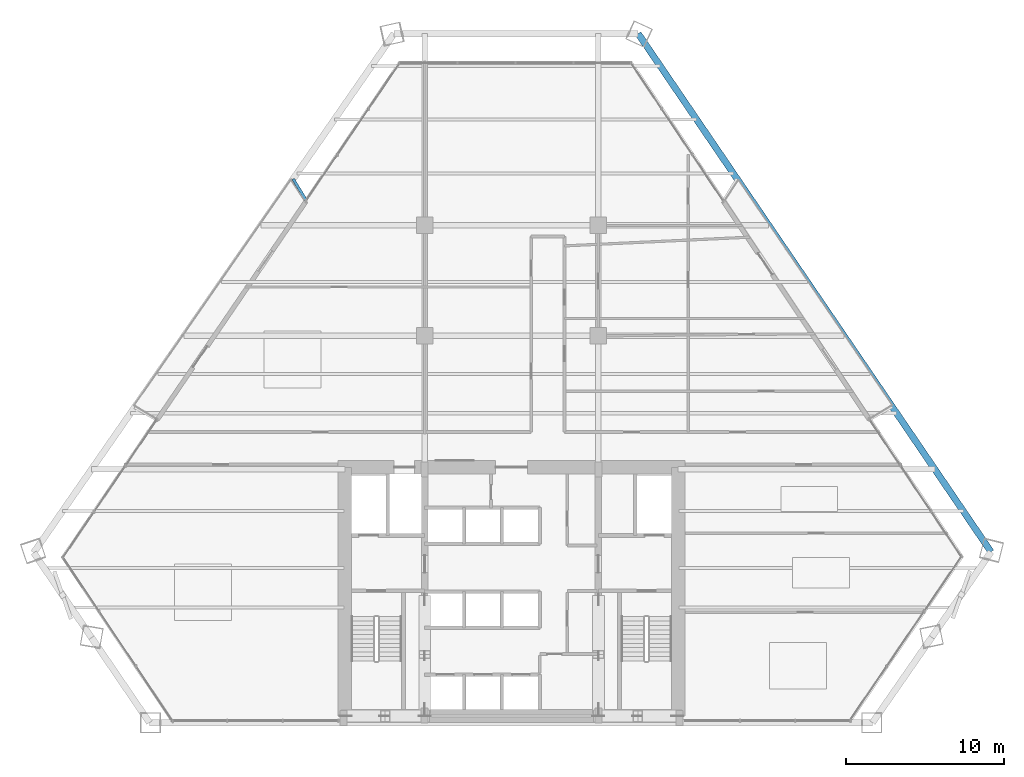
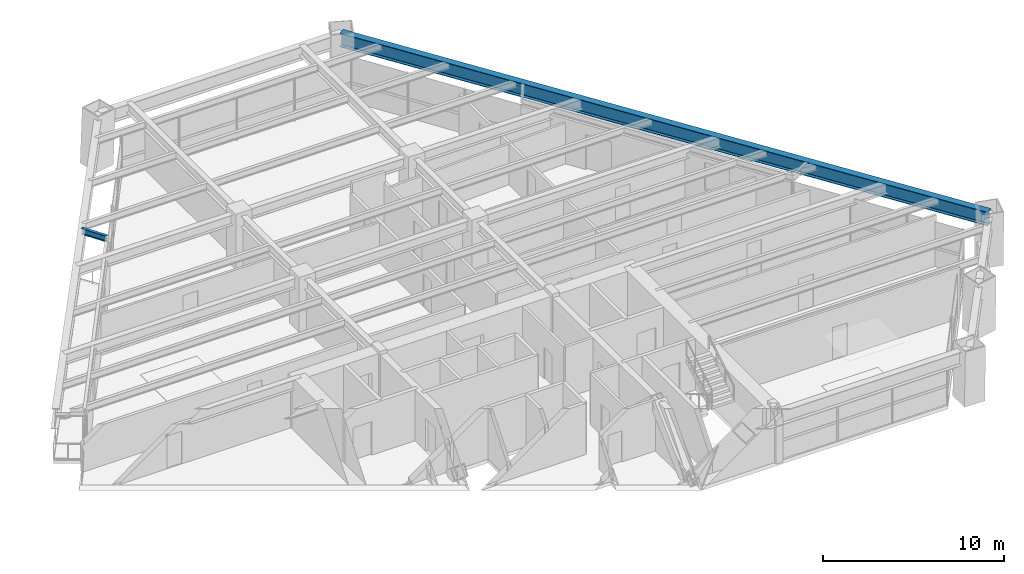
# One storey, part 7 of 14: 2 beams.
"""IFC4 building model written with IfcOpenShell, lengths in metres."""

from ifc_helpers import new_model, si_unit, direction, frame, origin, origin_2d, place, context, subcontext, project, spatial, i_section, extrude, source, transform, mapped, material, material_profile, profile_set, type_object, element, save


model = new_model("IFC4")

# Units and contexts
model_context = context("Model", 3, precision=1e-05, world=origin(), true_north=direction((0.0, 1.0)))
body_context = subcontext(model_context, "Body", "Model", "MODEL_VIEW")
ifc_project = project(units=[si_unit("LENGTHUNIT", "METRE"), si_unit("AREAUNIT", "SQUARE_METRE"), si_unit("VOLUMEUNIT", "CUBIC_METRE"), si_unit("PLANEANGLEUNIT", "RADIAN"), si_unit("MASSUNIT", "GRAM", prefix="KILO")], contexts=[model_context])

# Site, building, storey
site_placement = place(None, origin())
site = spatial("IfcSite", under=ifc_project, at=site_placement, CompositionType="ELEMENT")
building_placement = place(site_placement, origin())
building = spatial("IfcBuilding", under=site, at=building_placement, Name="Varnakhor Terracotta Tower", CompositionType="ELEMENT")
storey_placement = place(building_placement, frame((0.0, 0.0, 49.699951171875)))
storey = spatial("IfcBuildingStorey", under=building, at=storey_placement, Name="L11", CompositionType="ELEMENT", Elevation=49.699951171875)

# Beams
ifc_material = material(Name="Steel S355", Category="steel")
ifc_material_profile_1 = material_profile(ifc_material, i_section(OverallWidth=0.41796875, OverallDepth=0.927001953125, WebThickness=0.01904296875, FlangeThickness=0.031982421875, FilletRadius=0.01806640625, at=origin_2d()), Name="W36X231")
ifc_profile_set_1 = profile_set([ifc_material_profile_1], Name="Steel S355")
beam_type_1 = type_object("IfcBeamType", Name="BM-W36X231", PredefinedType="BEAM", material=ifc_profile_set_1)
shared_shape_1 = source(origin(), body_context, "Body", "SweptSolid", [
    extrude(i_section(OverallWidth=0.41796875, OverallDepth=0.927001953125, WebThickness=0.01904296875, FlangeThickness=0.031982421875, FilletRadius=0.01806640625, at=origin_2d()), origin(), (0.0, 0.0, 1.0), 39.717529296875),
])
beam_1_placement = place(storey_placement, frame((30.3759765625, 10.818359375, 2.986572265625), z_axis=(-0.562831457172, 0.826571685227, 0.0), x_axis=(-0.826571685227, -0.562831457172, 0.0)))
element("IfcBeam", 1, at=beam_1_placement, inside=storey, type_object=beam_type_1, Name="L11 Perimeter Spandrel 4", PredefinedType="BEAM", context=body_context, shape_type="MappedRepresentation", body=[
    mapped(shared_shape_1, transform((0.0, 0.0, 0.0), scale=1.0)),
])
ifc_material_profile_2 = material_profile(ifc_material, i_section(OverallWidth=0.179931640625, OverallDepth=0.39990234375, WebThickness=0.008544921875, FlangeThickness=0.013427734375, FilletRadius=0.01806640625, at=origin_2d()), Name="IPE400")
ifc_profile_set_2 = profile_set([ifc_material_profile_2], Name="Steel S355")
beam_type_2 = type_object("IfcBeamType", Name="JST-IPE400", PredefinedType="JOIST", material=ifc_profile_set_2)
shared_shape_2 = source(origin(), body_context, "Body", "SweptSolid", [
    extrude(i_section(OverallWidth=0.179931640625, OverallDepth=0.39990234375, WebThickness=0.008544921875, FlangeThickness=0.013427734375, FilletRadius=0.01806640625, at=origin_2d()), origin(), (0.0, 0.0, 1.0), 1.57861328125),
])
beam_2_placement = place(storey_placement, frame((-13.0126953125, 33.0927734375, 3.25), z_axis=(-0.519309011018, 0.854586538084, 0.0), x_axis=(-0.854586538084, -0.519309011018, 0.0)))
element("IfcBeam", 2, at=beam_2_placement, inside=storey, type_object=beam_type_2, Name="L12 W Loggia Tie Beam 2", PredefinedType="JOIST", context=body_context, shape_type="MappedRepresentation", body=[
    mapped(shared_shape_2, transform((0.0, 0.0, 0.0), scale=1.0)),
])

save(model, "model.ifc")
